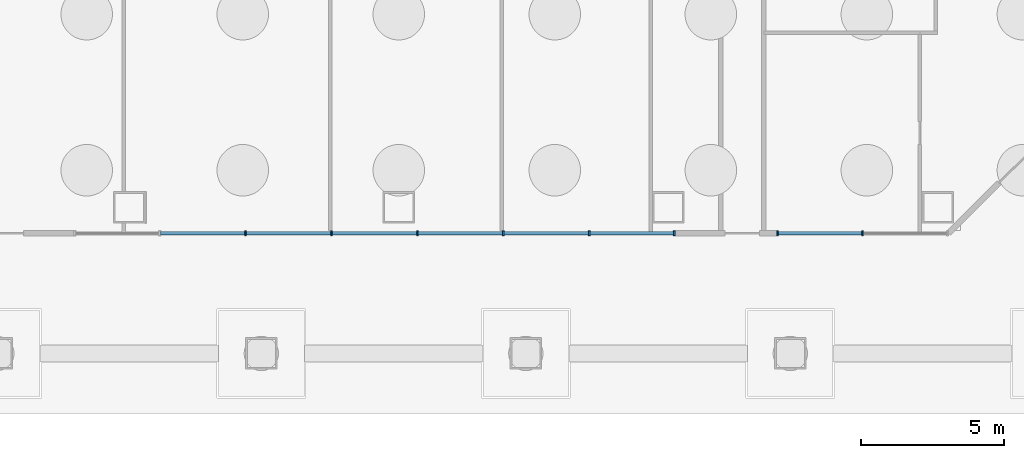
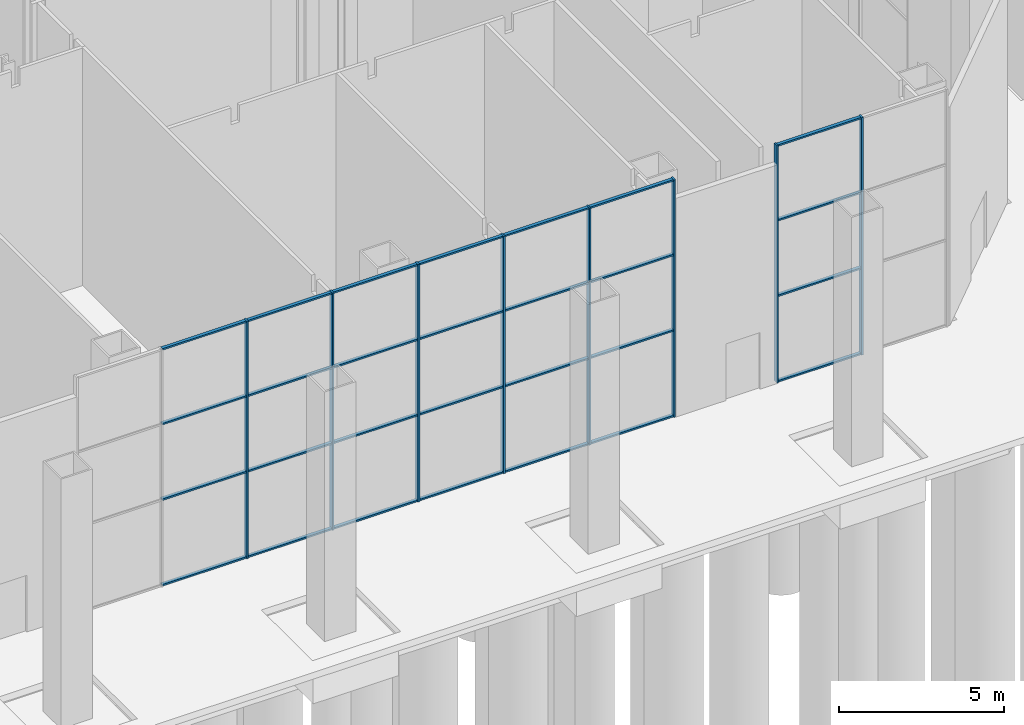
# One storey, part 14 of 38: 36 members, 2 elements without a shape of their own.
"""IFC4 building model written with IfcOpenShell, lengths in metres."""

from ifc_helpers import new_model, si_unit, direction, frame, origin, origin_2d, place, context, subcontext, project, spatial, rectangle, extrude, material, material_profile, profile_set, type_object, element, aggregate, save


model = new_model("IFC4")

# Units and contexts
model_context = context("Model", 3, precision=1e-05, world=origin(), true_north=direction((0.0, 1.0)))
body_context = subcontext(model_context, "Body", "Model", "MODEL_VIEW")
ifc_project = project(units=[si_unit("LENGTHUNIT", "METRE"), si_unit("AREAUNIT", "SQUARE_METRE"), si_unit("VOLUMEUNIT", "CUBIC_METRE"), si_unit("PLANEANGLEUNIT", "RADIAN"), si_unit("MASSUNIT", "GRAM", prefix="KILO")], contexts=[model_context])

# Site, building, storey
site_placement = place(None, origin())
site = spatial("IfcSite", under=ifc_project, at=site_placement, CompositionType="ELEMENT")
building_placement = place(site_placement, origin())
building = spatial("IfcBuilding", under=site, at=building_placement, Name="Cairn Pilgrim Tower", CompositionType="ELEMENT")
storey_placement = place(building_placement, origin())
storey = spatial("IfcBuildingStorey", under=building, at=storey_placement, Name="L00", CompositionType="ELEMENT", Elevation=0.0)

# Curtain wall, members
ifc_material_1 = material(Name="Bronze anodised aluminium with Tinted laminated low-E glass", Category="aluminium")
curtain_wall_type = type_object("IfcCurtainWallType", Name="PAVILION CW", PredefinedType="NOTDEFINED", material=ifc_material_1)
curtain_wall_1_placement = place(storey_placement, origin())
curtain_wall_1 = element("IfcCurtainWall", 1, at=curtain_wall_1_placement, inside=storey, type_object=curtain_wall_type, Name="PAVILION CW 0.4", PredefinedType="NOTDEFINED")
ifc_material_2 = material(Name="Bronze anodised aluminium", Category="aluminium")
ifc_material_profile_1 = material_profile(ifc_material_2, rectangle(XDim=0.179931640625, YDim=0.06005859375, at=origin_2d()), Name="PAVILION MULLION 60x180 BRONZE")
ifc_profile_set_1 = profile_set([ifc_material_profile_1], Name="Bronze anodised aluminium")
member_type_1 = type_object("IfcMemberType", Name="PAVILION MULLION 60x180 BRONZE", PredefinedType="MULLION", material=ifc_profile_set_1)
member_1_placement = place(storey_placement, frame((-5.35009765625, -24.0, 0.0), z_axis=(0.0, 0.0, 1.0), x_axis=(0.0, 1.0, 0.0)))
member_1 = element("IfcMember", 2, at=member_1_placement, type_object=member_type_1, Name="PCW-04 mullion 3", PredefinedType="MULLION", context=body_context, shape_type="SweptSolid", body=[
    extrude(rectangle(XDim=0.179931640625, YDim=0.06005859375, at=origin_2d()), origin(), (0.0, 0.0, 1.0), 8.800048828125),
])
member_2_placement = place(storey_placement, frame((-2.35009765625, -24.0, 0.0), z_axis=(0.0, 0.0, 1.0), x_axis=(0.0, 1.0, 0.0)))
member_2 = element("IfcMember", 3, at=member_2_placement, type_object=member_type_1, Name="PCW-04 mullion 4", PredefinedType="MULLION", context=body_context, shape_type="SweptSolid", body=[
    extrude(rectangle(XDim=0.179931640625, YDim=0.06005859375, at=origin_2d()), origin(), (0.0, 0.0, 1.0), 8.800048828125),
])
member_3_placement = place(storey_placement, frame((0.64990234375, -24.0, 0.0), z_axis=(0.0, 0.0, 1.0), x_axis=(0.0, 1.0, 0.0)))
member_3 = element("IfcMember", 4, at=member_3_placement, type_object=member_type_1, Name="PCW-04 mullion 5", PredefinedType="MULLION", context=body_context, shape_type="SweptSolid", body=[
    extrude(rectangle(XDim=0.179931640625, YDim=0.06005859375, at=origin_2d()), origin(), (0.0, 0.0, 1.0), 8.800048828125),
])
member_4_placement = place(storey_placement, frame((3.64990234375, -24.0, 0.0), z_axis=(0.0, 0.0, 1.0), x_axis=(0.0, 1.0, 0.0)))
member_4 = element("IfcMember", 5, at=member_4_placement, type_object=member_type_1, Name="PCW-04 mullion 6", PredefinedType="MULLION", context=body_context, shape_type="SweptSolid", body=[
    extrude(rectangle(XDim=0.179931640625, YDim=0.06005859375, at=origin_2d()), origin(), (0.0, 0.0, 1.0), 8.800048828125),
])
member_5_placement = place(storey_placement, frame((6.64990234375, -24.0, 0.0), z_axis=(0.0, 0.0, 1.0), x_axis=(0.0, 1.0, 0.0)))
member_5 = element("IfcMember", 6, at=member_5_placement, type_object=member_type_1, Name="PCW-04 mullion 7", PredefinedType="MULLION", context=body_context, shape_type="SweptSolid", body=[
    extrude(rectangle(XDim=0.179931640625, YDim=0.06005859375, at=origin_2d()), origin(), (0.0, 0.0, 1.0), 8.800048828125),
])
member_6_placement = place(storey_placement, frame((9.6201171875, -24.0, 0.0), z_axis=(0.0, 0.0, 1.0), x_axis=(0.0, 1.0, 0.0)))
member_6 = element("IfcMember", 7, at=member_6_placement, type_object=member_type_1, Name="PCW-04 mullion 8", PredefinedType="MULLION", context=body_context, shape_type="SweptSolid", body=[
    extrude(rectangle(XDim=0.179931640625, YDim=0.06005859375, at=origin_2d()), origin(), (0.0, 0.0, 1.0), 8.800048828125),
])

curtain_wall_2_placement = place(storey_placement, origin())
curtain_wall_2 = element("IfcCurtainWall", 8, at=curtain_wall_2_placement, inside=storey, type_object=curtain_wall_type, Name="PAVILION CW 0.6", PredefinedType="NOTDEFINED")
member_7_placement = place(storey_placement, frame((13.22998046875, -24.0, 0.0), z_axis=(0.0, 0.0, 1.0), x_axis=(0.0, 1.0, 0.0)))
member_7 = element("IfcMember", 9, at=member_7_placement, type_object=member_type_1, Name="PCW-06 mullion 1", PredefinedType="MULLION", context=body_context, shape_type="SweptSolid", body=[
    extrude(rectangle(XDim=0.179931640625, YDim=0.06005859375, at=origin_2d()), origin(), (0.0, 0.0, 1.0), 8.800048828125),
])
member_8_placement = place(storey_placement, frame((16.199951171875, -24.0, 0.0), z_axis=(0.0, 0.0, 1.0), x_axis=(0.0, 1.0, 0.0)))
member_8 = element("IfcMember", 10, at=member_8_placement, type_object=member_type_1, Name="PCW-06 mullion 2", PredefinedType="MULLION", context=body_context, shape_type="SweptSolid", body=[
    extrude(rectangle(XDim=0.179931640625, YDim=0.06005859375, at=origin_2d()), origin(), (0.0, 0.0, 1.0), 8.800048828125),
])

# Member
ifc_material_profile_2 = material_profile(ifc_material_2, rectangle(XDim=0.1201171875, YDim=0.06005859375, at=origin_2d()), Name="PAVILION TRANSOM 60x120 BRONZE")
ifc_profile_set_2 = profile_set([ifc_material_profile_2], Name="Bronze anodised aluminium")
member_type_2 = type_object("IfcMemberType", Name="PAVILION TRANSOM 60x120 BRONZE", PredefinedType="USERDEFINED", material=ifc_profile_set_2)
member_9_placement = place(storey_placement, frame((-8.320068359375, -24.0, 0.030029296875), z_axis=(1.0, 0.0, 0.0), x_axis=(0.0, 1.0, 0.0)))
member_9 = element("IfcMember", 11, at=member_9_placement, type_object=member_type_2, Name="PCW-04 transom 2.1", ObjectType="TRANSOM", PredefinedType="USERDEFINED", context=body_context, shape_type="SweptSolid", body=[
    extrude(rectangle(XDim=0.1201171875, YDim=0.06005859375, at=origin_2d()), origin(), (0.0, 0.0, 1.0), 2.940185546875),
])

member_10_placement = place(storey_placement, frame((-8.320068359375, -24.0, 3.199951171875), z_axis=(1.0, 0.0, 0.0), x_axis=(0.0, 1.0, 0.0)))
member_10 = element("IfcMember", 12, at=member_10_placement, type_object=member_type_2, Name="PCW-04 transom 2.2", ObjectType="TRANSOM", PredefinedType="USERDEFINED", context=body_context, shape_type="SweptSolid", body=[
    extrude(rectangle(XDim=0.1201171875, YDim=0.06005859375, at=origin_2d()), origin(), (0.0, 0.0, 1.0), 2.940185546875),
])

member_11_placement = place(storey_placement, frame((-8.320068359375, -24.0, 6.0), z_axis=(1.0, 0.0, 0.0), x_axis=(0.0, 1.0, 0.0)))
member_11 = element("IfcMember", 13, at=member_11_placement, type_object=member_type_2, Name="PCW-04 transom 2.3", ObjectType="TRANSOM", PredefinedType="USERDEFINED", context=body_context, shape_type="SweptSolid", body=[
    extrude(rectangle(XDim=0.1201171875, YDim=0.06005859375, at=origin_2d()), origin(), (0.0, 0.0, 1.0), 2.940185546875),
])

member_12_placement = place(storey_placement, frame((-8.320068359375, -24.0, 8.77001953125), z_axis=(1.0, 0.0, 0.0), x_axis=(0.0, 1.0, 0.0)))
member_12 = element("IfcMember", 14, at=member_12_placement, type_object=member_type_2, Name="PCW-04 transom 2.4", ObjectType="TRANSOM", PredefinedType="USERDEFINED", context=body_context, shape_type="SweptSolid", body=[
    extrude(rectangle(XDim=0.1201171875, YDim=0.06005859375, at=origin_2d()), origin(), (0.0, 0.0, 1.0), 2.940185546875),
])

member_13_placement = place(storey_placement, frame((-5.320068359375, -24.0, 0.030029296875), z_axis=(1.0, 0.0, 0.0), x_axis=(0.0, 1.0, 0.0)))
member_13 = element("IfcMember", 15, at=member_13_placement, type_object=member_type_2, Name="PCW-04 transom 3.1", ObjectType="TRANSOM", PredefinedType="USERDEFINED", context=body_context, shape_type="SweptSolid", body=[
    extrude(rectangle(XDim=0.1201171875, YDim=0.06005859375, at=origin_2d()), origin(), (0.0, 0.0, 1.0), 2.940185546875),
])

member_14_placement = place(storey_placement, frame((-5.320068359375, -24.0, 3.199951171875), z_axis=(1.0, 0.0, 0.0), x_axis=(0.0, 1.0, 0.0)))
member_14 = element("IfcMember", 16, at=member_14_placement, type_object=member_type_2, Name="PCW-04 transom 3.2", ObjectType="TRANSOM", PredefinedType="USERDEFINED", context=body_context, shape_type="SweptSolid", body=[
    extrude(rectangle(XDim=0.1201171875, YDim=0.06005859375, at=origin_2d()), origin(), (0.0, 0.0, 1.0), 2.940185546875),
])

member_15_placement = place(storey_placement, frame((-5.320068359375, -24.0, 6.0), z_axis=(1.0, 0.0, 0.0), x_axis=(0.0, 1.0, 0.0)))
member_15 = element("IfcMember", 17, at=member_15_placement, type_object=member_type_2, Name="PCW-04 transom 3.3", ObjectType="TRANSOM", PredefinedType="USERDEFINED", context=body_context, shape_type="SweptSolid", body=[
    extrude(rectangle(XDim=0.1201171875, YDim=0.06005859375, at=origin_2d()), origin(), (0.0, 0.0, 1.0), 2.940185546875),
])

member_16_placement = place(storey_placement, frame((-5.320068359375, -24.0, 8.77001953125), z_axis=(1.0, 0.0, 0.0), x_axis=(0.0, 1.0, 0.0)))
member_16 = element("IfcMember", 18, at=member_16_placement, type_object=member_type_2, Name="PCW-04 transom 3.4", ObjectType="TRANSOM", PredefinedType="USERDEFINED", context=body_context, shape_type="SweptSolid", body=[
    extrude(rectangle(XDim=0.1201171875, YDim=0.06005859375, at=origin_2d()), origin(), (0.0, 0.0, 1.0), 2.940185546875),
])

member_17_placement = place(storey_placement, frame((-2.320068359375, -24.0, 0.030029296875), z_axis=(1.0, 0.0, 0.0), x_axis=(0.0, 1.0, 0.0)))
member_17 = element("IfcMember", 19, at=member_17_placement, type_object=member_type_2, Name="PCW-04 transom 4.1", ObjectType="TRANSOM", PredefinedType="USERDEFINED", context=body_context, shape_type="SweptSolid", body=[
    extrude(rectangle(XDim=0.1201171875, YDim=0.06005859375, at=origin_2d()), origin(), (0.0, 0.0, 1.0), 2.940185546875),
])

member_18_placement = place(storey_placement, frame((-2.320068359375, -24.0, 3.199951171875), z_axis=(1.0, 0.0, 0.0), x_axis=(0.0, 1.0, 0.0)))
member_18 = element("IfcMember", 20, at=member_18_placement, type_object=member_type_2, Name="PCW-04 transom 4.2", ObjectType="TRANSOM", PredefinedType="USERDEFINED", context=body_context, shape_type="SweptSolid", body=[
    extrude(rectangle(XDim=0.1201171875, YDim=0.06005859375, at=origin_2d()), origin(), (0.0, 0.0, 1.0), 2.940185546875),
])

member_19_placement = place(storey_placement, frame((-2.320068359375, -24.0, 6.0), z_axis=(1.0, 0.0, 0.0), x_axis=(0.0, 1.0, 0.0)))
member_19 = element("IfcMember", 21, at=member_19_placement, type_object=member_type_2, Name="PCW-04 transom 4.3", ObjectType="TRANSOM", PredefinedType="USERDEFINED", context=body_context, shape_type="SweptSolid", body=[
    extrude(rectangle(XDim=0.1201171875, YDim=0.06005859375, at=origin_2d()), origin(), (0.0, 0.0, 1.0), 2.940185546875),
])

member_20_placement = place(storey_placement, frame((-2.320068359375, -24.0, 8.77001953125), z_axis=(1.0, 0.0, 0.0), x_axis=(0.0, 1.0, 0.0)))
member_20 = element("IfcMember", 22, at=member_20_placement, type_object=member_type_2, Name="PCW-04 transom 4.4", ObjectType="TRANSOM", PredefinedType="USERDEFINED", context=body_context, shape_type="SweptSolid", body=[
    extrude(rectangle(XDim=0.1201171875, YDim=0.06005859375, at=origin_2d()), origin(), (0.0, 0.0, 1.0), 2.940185546875),
])

member_21_placement = place(storey_placement, frame((0.679931640625, -24.0, 0.030029296875), z_axis=(1.0, 0.0, 0.0), x_axis=(0.0, 1.0, 0.0)))
member_21 = element("IfcMember", 23, at=member_21_placement, type_object=member_type_2, Name="PCW-04 transom 5.1", ObjectType="TRANSOM", PredefinedType="USERDEFINED", context=body_context, shape_type="SweptSolid", body=[
    extrude(rectangle(XDim=0.1201171875, YDim=0.06005859375, at=origin_2d()), origin(), (0.0, 0.0, 1.0), 2.940185546875),
])

member_22_placement = place(storey_placement, frame((0.679931640625, -24.0, 3.199951171875), z_axis=(1.0, 0.0, 0.0), x_axis=(0.0, 1.0, 0.0)))
member_22 = element("IfcMember", 24, at=member_22_placement, type_object=member_type_2, Name="PCW-04 transom 5.2", ObjectType="TRANSOM", PredefinedType="USERDEFINED", context=body_context, shape_type="SweptSolid", body=[
    extrude(rectangle(XDim=0.1201171875, YDim=0.06005859375, at=origin_2d()), origin(), (0.0, 0.0, 1.0), 2.940185546875),
])

member_23_placement = place(storey_placement, frame((0.679931640625, -24.0, 6.0), z_axis=(1.0, 0.0, 0.0), x_axis=(0.0, 1.0, 0.0)))
member_23 = element("IfcMember", 25, at=member_23_placement, type_object=member_type_2, Name="PCW-04 transom 5.3", ObjectType="TRANSOM", PredefinedType="USERDEFINED", context=body_context, shape_type="SweptSolid", body=[
    extrude(rectangle(XDim=0.1201171875, YDim=0.06005859375, at=origin_2d()), origin(), (0.0, 0.0, 1.0), 2.940185546875),
])

member_24_placement = place(storey_placement, frame((0.679931640625, -24.0, 8.77001953125), z_axis=(1.0, 0.0, 0.0), x_axis=(0.0, 1.0, 0.0)))
member_24 = element("IfcMember", 26, at=member_24_placement, type_object=member_type_2, Name="PCW-04 transom 5.4", ObjectType="TRANSOM", PredefinedType="USERDEFINED", context=body_context, shape_type="SweptSolid", body=[
    extrude(rectangle(XDim=0.1201171875, YDim=0.06005859375, at=origin_2d()), origin(), (0.0, 0.0, 1.0), 2.940185546875),
])

member_25_placement = place(storey_placement, frame((3.679931640625, -24.0, 0.030029296875), z_axis=(1.0, 0.0, 0.0), x_axis=(0.0, 1.0, 0.0)))
member_25 = element("IfcMember", 27, at=member_25_placement, type_object=member_type_2, Name="PCW-04 transom 6.1", ObjectType="TRANSOM", PredefinedType="USERDEFINED", context=body_context, shape_type="SweptSolid", body=[
    extrude(rectangle(XDim=0.1201171875, YDim=0.06005859375, at=origin_2d()), origin(), (0.0, 0.0, 1.0), 2.940185546875),
])

member_26_placement = place(storey_placement, frame((3.679931640625, -24.0, 3.199951171875), z_axis=(1.0, 0.0, 0.0), x_axis=(0.0, 1.0, 0.0)))
member_26 = element("IfcMember", 28, at=member_26_placement, type_object=member_type_2, Name="PCW-04 transom 6.2", ObjectType="TRANSOM", PredefinedType="USERDEFINED", context=body_context, shape_type="SweptSolid", body=[
    extrude(rectangle(XDim=0.1201171875, YDim=0.06005859375, at=origin_2d()), origin(), (0.0, 0.0, 1.0), 2.940185546875),
])

member_27_placement = place(storey_placement, frame((3.679931640625, -24.0, 6.0), z_axis=(1.0, 0.0, 0.0), x_axis=(0.0, 1.0, 0.0)))
member_27 = element("IfcMember", 29, at=member_27_placement, type_object=member_type_2, Name="PCW-04 transom 6.3", ObjectType="TRANSOM", PredefinedType="USERDEFINED", context=body_context, shape_type="SweptSolid", body=[
    extrude(rectangle(XDim=0.1201171875, YDim=0.06005859375, at=origin_2d()), origin(), (0.0, 0.0, 1.0), 2.940185546875),
])

member_28_placement = place(storey_placement, frame((3.679931640625, -24.0, 8.77001953125), z_axis=(1.0, 0.0, 0.0), x_axis=(0.0, 1.0, 0.0)))
member_28 = element("IfcMember", 30, at=member_28_placement, type_object=member_type_2, Name="PCW-04 transom 6.4", ObjectType="TRANSOM", PredefinedType="USERDEFINED", context=body_context, shape_type="SweptSolid", body=[
    extrude(rectangle(XDim=0.1201171875, YDim=0.06005859375, at=origin_2d()), origin(), (0.0, 0.0, 1.0), 2.940185546875),
])

member_29_placement = place(storey_placement, frame((6.679931640625, -24.0, 0.030029296875), z_axis=(1.0, 0.0, 0.0), x_axis=(0.0, 1.0, 0.0)))
member_29 = element("IfcMember", 31, at=member_29_placement, type_object=member_type_2, Name="PCW-04 transom 7.1", ObjectType="TRANSOM", PredefinedType="USERDEFINED", context=body_context, shape_type="SweptSolid", body=[
    extrude(rectangle(XDim=0.1201171875, YDim=0.06005859375, at=origin_2d()), origin(), (0.0, 0.0, 1.0), 2.91015625),
])

member_30_placement = place(storey_placement, frame((6.679931640625, -24.0, 3.199951171875), z_axis=(1.0, 0.0, 0.0), x_axis=(0.0, 1.0, 0.0)))
member_30 = element("IfcMember", 32, at=member_30_placement, type_object=member_type_2, Name="PCW-04 transom 7.2", ObjectType="TRANSOM", PredefinedType="USERDEFINED", context=body_context, shape_type="SweptSolid", body=[
    extrude(rectangle(XDim=0.1201171875, YDim=0.06005859375, at=origin_2d()), origin(), (0.0, 0.0, 1.0), 2.91015625),
])

member_31_placement = place(storey_placement, frame((6.679931640625, -24.0, 6.0), z_axis=(1.0, 0.0, 0.0), x_axis=(0.0, 1.0, 0.0)))
member_31 = element("IfcMember", 33, at=member_31_placement, type_object=member_type_2, Name="PCW-04 transom 7.3", ObjectType="TRANSOM", PredefinedType="USERDEFINED", context=body_context, shape_type="SweptSolid", body=[
    extrude(rectangle(XDim=0.1201171875, YDim=0.06005859375, at=origin_2d()), origin(), (0.0, 0.0, 1.0), 2.91015625),
])

member_32_placement = place(storey_placement, frame((6.679931640625, -24.0, 8.77001953125), z_axis=(1.0, 0.0, 0.0), x_axis=(0.0, 1.0, 0.0)))
member_32 = element("IfcMember", 34, at=member_32_placement, type_object=member_type_2, Name="PCW-04 transom 7.4", ObjectType="TRANSOM", PredefinedType="USERDEFINED", context=body_context, shape_type="SweptSolid", body=[
    extrude(rectangle(XDim=0.1201171875, YDim=0.06005859375, at=origin_2d()), origin(), (0.0, 0.0, 1.0), 2.91015625),
])

aggregate(curtain_wall_1, [member_1, member_2, member_3, member_4, member_5, member_6, member_9, member_10, member_11, member_12, member_13, member_14, member_15, member_16, member_17, member_18, member_19, member_20, member_21, member_22, member_23, member_24, member_25, member_26, member_27, member_28, member_29, member_30, member_31, member_32])

member_33_placement = place(storey_placement, frame((13.260009765625, -24.0, 0.030029296875), z_axis=(1.0, 0.0, 0.0), x_axis=(0.0, 1.0, 0.0)))
member_33 = element("IfcMember", 35, at=member_33_placement, type_object=member_type_2, Name="PCW-06 transom 1.1", ObjectType="TRANSOM", PredefinedType="USERDEFINED", context=body_context, shape_type="SweptSolid", body=[
    extrude(rectangle(XDim=0.1201171875, YDim=0.06005859375, at=origin_2d()), origin(), (0.0, 0.0, 1.0), 2.909912109375),
])

member_34_placement = place(storey_placement, frame((13.260009765625, -24.0, 3.199951171875), z_axis=(1.0, 0.0, 0.0), x_axis=(0.0, 1.0, 0.0)))
member_34 = element("IfcMember", 36, at=member_34_placement, type_object=member_type_2, Name="PCW-06 transom 1.2", ObjectType="TRANSOM", PredefinedType="USERDEFINED", context=body_context, shape_type="SweptSolid", body=[
    extrude(rectangle(XDim=0.1201171875, YDim=0.06005859375, at=origin_2d()), origin(), (0.0, 0.0, 1.0), 2.909912109375),
])

member_35_placement = place(storey_placement, frame((13.260009765625, -24.0, 6.0), z_axis=(1.0, 0.0, 0.0), x_axis=(0.0, 1.0, 0.0)))
member_35 = element("IfcMember", 37, at=member_35_placement, type_object=member_type_2, Name="PCW-06 transom 1.3", ObjectType="TRANSOM", PredefinedType="USERDEFINED", context=body_context, shape_type="SweptSolid", body=[
    extrude(rectangle(XDim=0.1201171875, YDim=0.06005859375, at=origin_2d()), origin(), (0.0, 0.0, 1.0), 2.909912109375),
])

member_36_placement = place(storey_placement, frame((13.260009765625, -24.0, 8.77001953125), z_axis=(1.0, 0.0, 0.0), x_axis=(0.0, 1.0, 0.0)))
member_36 = element("IfcMember", 38, at=member_36_placement, type_object=member_type_2, Name="PCW-06 transom 1.4", ObjectType="TRANSOM", PredefinedType="USERDEFINED", context=body_context, shape_type="SweptSolid", body=[
    extrude(rectangle(XDim=0.1201171875, YDim=0.06005859375, at=origin_2d()), origin(), (0.0, 0.0, 1.0), 2.909912109375),
])

aggregate(curtain_wall_2, [member_7, member_8, member_33, member_34, member_35, member_36])

save(model, "model.ifc")
